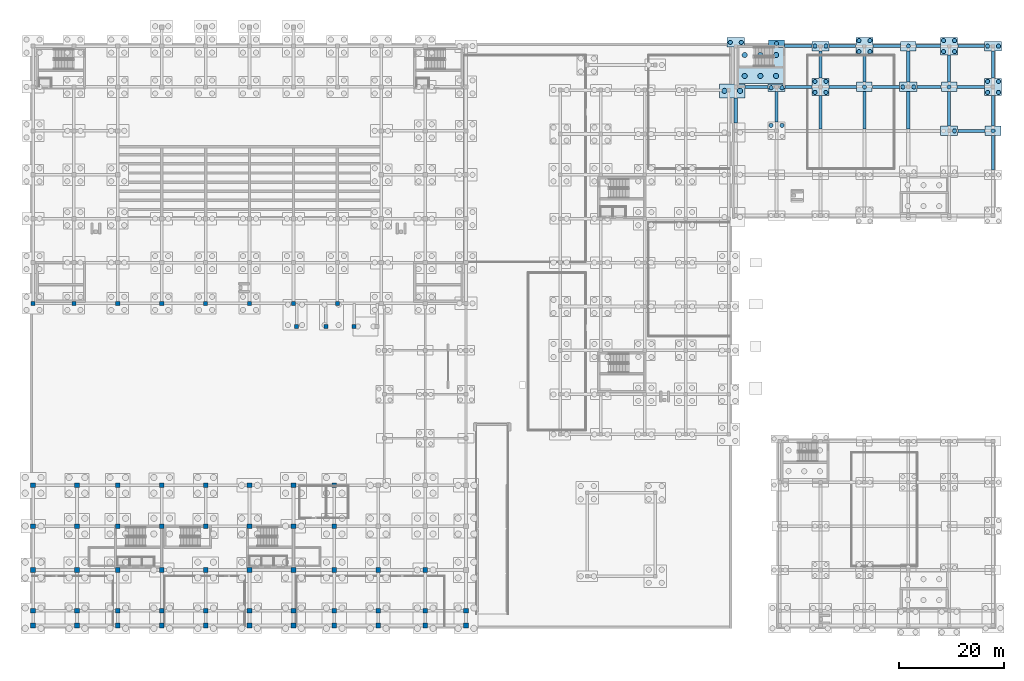
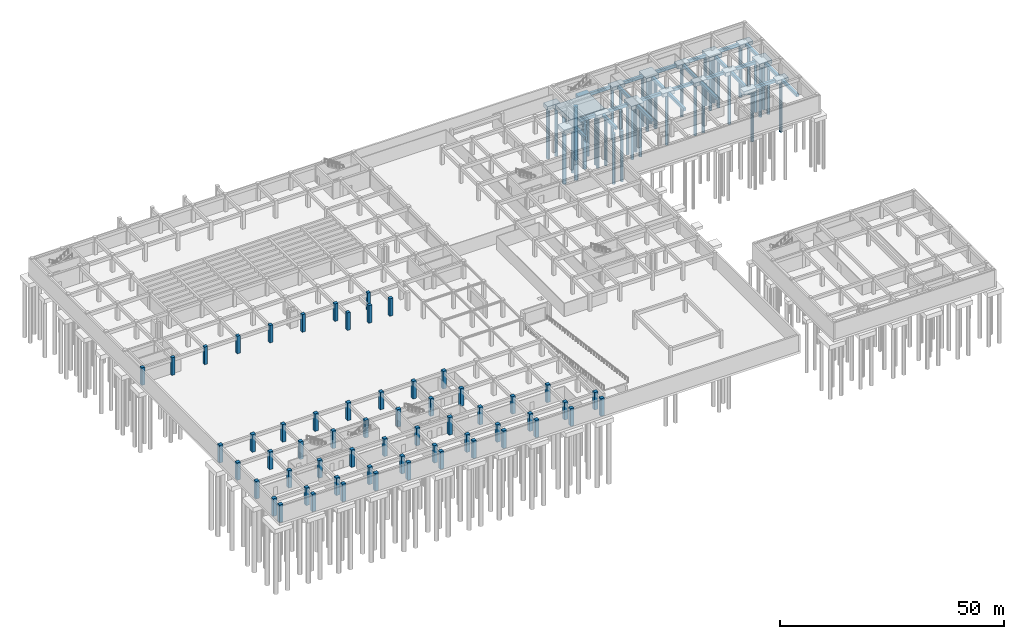
# One storey, part 7 of 35: 59 columns, 42 footings, 42 piles.
"""IFC4 building model written with IfcOpenShell, lengths in metres."""

from ifc_helpers import new_model, si_unit, direction, frame, origin, origin_2d, place, context, subcontext, project, spatial, rectangle, circle, extrude, material, material_profile, profile_set, type_object, element, save


model = new_model("IFC4")

# Units and contexts
model_context = context("Model", 3, precision=1e-05, world=origin(), true_north=direction((0.0, 1.0)))
body_context = subcontext(model_context, "Body", "Model", "MODEL_VIEW")
ifc_project = project(units=[si_unit("LENGTHUNIT", "METRE"), si_unit("AREAUNIT", "SQUARE_METRE"), si_unit("VOLUMEUNIT", "CUBIC_METRE"), si_unit("PLANEANGLEUNIT", "RADIAN"), si_unit("MASSUNIT", "GRAM", prefix="KILO")], contexts=[model_context])

# Site, building, storey
site_placement = place(None, origin())
site = spatial("IfcSite", under=ifc_project, at=site_placement, CompositionType="ELEMENT")
building_placement = place(site_placement, origin())
building = spatial("IfcBuilding", under=site, at=building_placement, Name="Zayran Congress Hotel", CompositionType="ELEMENT")
storey_placement = place(building_placement, frame((0.0, 0.0, -4.800048828125)))
storey = spatial("IfcBuildingStorey", under=building, at=storey_placement, Name="B1", CompositionType="ELEMENT", Elevation=-4.800048828125)

# Piles
ifc_material = material(Name="Concrete C40/50", Category="concrete")
ifc_material_profile_1 = material_profile(ifc_material, circle(Radius=0.5, at=origin_2d()), Name="PILE D1000")
ifc_profile_set_1 = profile_set([ifc_material_profile_1], Name="Concrete C40/50")
pile_type_1 = type_object("IfcPileType", Name="TP-PL-1000", PredefinedType="BORED", material=ifc_profile_set_1)
for number, where, z_axis, x_axis, name in (
    (1, (145.10009765625, 111.699951171875, -1.599853515625), (0.0, 0.0, -1.0), (1.0, 0.0, 0.0), "PIL-0001"),
    (2, (145.10009765625, 115.699951171875, -1.599853515625), (0.0, 0.0, -1.0), (1.0, 0.0, 0.0), "PIL-0002"),
    (3, (148.10009765625, 111.699951171875, -1.599853515625), (0.0, 0.0, -1.0), (1.0, 0.0, 0.0), "PIL-0003"),
    (4, (148.10009765625, 115.699951171875, -1.599853515625), (0.0, 0.0, -1.0), (1.0, 0.0, 0.0), "PIL-0004"),
    (5, (151.10009765625, 111.699951171875, -1.599853515625), (0.0, 0.0, -1.0), (1.0, 0.0, 0.0), "PIL-0005"),
    (6, (151.10009765625, 115.699951171875, -1.599853515625), (0.0, 0.0, -1.0), (1.0, 0.0, 0.0), "PIL-0006"),
):
    element("IfcPile", number, at=place(storey_placement, frame(where, z_axis=z_axis, x_axis=x_axis)), inside=storey, type_object=pile_type_1, Name=name, PredefinedType="BORED", context=body_context, shape_type="SweptSolid", body=[
        extrude(circle(Radius=0.5, at=origin_2d()), origin(), (0.0, 0.0, 1.0), 14.60009765625),
    ])
for number, where, z_axis, x_axis, name in (
    (7, (141.22509765625, 108.85009765625, -1.699951171875), (0.0, 0.0, -1.0), (1.0, 0.0, 0.0), "PIL-0588"),
    (8, (144.22509765625, 108.85009765625, -1.699951171875), (0.0, 0.0, -1.0), (1.0, 0.0, 0.0), "PIL-0589"),
):
    element("IfcPile", number, at=place(storey_placement, frame(where, z_axis=z_axis, x_axis=x_axis)), inside=storey, type_object=pile_type_1, Name=name, PredefinedType="BORED", context=body_context, shape_type="SweptSolid", body=[
        extrude(circle(Radius=0.5, at=origin_2d()), origin(), (0.0, 0.0, 1.0), 14.5),
    ])
ifc_material_profile_2 = material_profile(ifc_material, circle(Radius=0.39990234375, at=origin_2d()), Name="PILE D800")
ifc_profile_set_2 = profile_set([ifc_material_profile_2], Name="Concrete C40/50")
pile_type_2 = type_object("IfcPileType", Name="TP-PL-800", PredefinedType="BORED", material=ifc_profile_set_2)
for number, where, z_axis, x_axis, name in (
    (9, (142.35009765625, 118.125, -1.599853515625), (0.0, 0.0, -1.0), (1.0, 0.0, 0.0), "PIL-0590"),
    (10, (144.449951171875, 118.125, -1.599853515625), (0.0, 0.0, -1.0), (1.0, 0.0, 0.0), "PIL-0591"),
    (11, (150.14990234375, 102.25, -1.599853515625), (0.0, 0.0, -1.0), (1.0, 0.0, 0.0), "PIL-0597"),
    (12, (152.25, 102.25, -1.599853515625), (0.0, 0.0, -1.0), (1.0, 0.0, 0.0), "PIL-0598"),
):
    element("IfcPile", number, at=place(storey_placement, frame(where, z_axis=z_axis, x_axis=x_axis)), inside=storey, type_object=pile_type_2, Name=name, PredefinedType="BORED", context=body_context, shape_type="SweptSolid", body=[
        extrude(circle(Radius=0.39990234375, at=origin_2d()), origin(), (0.0, 0.0, 1.0), 13.800048828125),
    ])
for number, where, z_axis, x_axis, name in (
    (13, (150.14990234375, 109.449951171875, -1.5), (0.0, 0.0, -1.0), (1.0, 0.0, 0.0), "PIL-0599"),
    (14, (152.25, 109.449951171875, -1.5), (0.0, 0.0, -1.0), (1.0, 0.0, 0.0), "PIL-0600"),
    (15, (151.199951171875, 117.89990234375, -1.5), (0.0, 0.0, -1.0), (1.0, 0.0, 0.0), "PIL-0601"),
):
    element("IfcPile", number, at=place(storey_placement, frame(where, z_axis=z_axis, x_axis=x_axis)), inside=storey, type_object=pile_type_2, Name=name, PredefinedType="BORED", context=body_context, shape_type="SweptSolid", body=[
        extrude(circle(Radius=0.39990234375, at=origin_2d()), origin(), (0.0, 0.0, 1.0), 13.89990234375),
    ])
for number, where, z_axis, x_axis, name in (
    (16, (158.550048828125, 108.550048828125, -1.599853515625), (0.0, 0.0, -1.0), (1.0, 0.0, 0.0), "PIL-0629"),
    (17, (160.64990234375, 108.550048828125, -1.599853515625), (0.0, 0.0, -1.0), (1.0, 0.0, 0.0), "PIL-0630"),
    (18, (158.550048828125, 110.64990234375, -1.599853515625), (0.0, 0.0, -1.0), (1.0, 0.0, 0.0), "PIL-0631"),
    (19, (160.64990234375, 110.64990234375, -1.599853515625), (0.0, 0.0, -1.0), (1.0, 0.0, 0.0), "PIL-0632"),
):
    element("IfcPile", number, at=place(storey_placement, frame(where, z_axis=z_axis, x_axis=x_axis)), inside=storey, type_object=pile_type_2, Name=name, PredefinedType="BORED", context=body_context, shape_type="SweptSolid", body=[
        extrude(circle(Radius=0.39990234375, at=origin_2d()), origin(), (0.0, 0.0, 1.0), 13.800048828125),
    ])
for number, where, z_axis, x_axis, name in (
    (20, (158.550048828125, 117.39990234375, -1.5), (0.0, 0.0, -1.0), (1.0, 0.0, 0.0), "PIL-0633"),
    (21, (160.64990234375, 117.39990234375, -1.5), (0.0, 0.0, -1.0), (1.0, 0.0, 0.0), "PIL-0634"),
    (22, (168.0, 109.60009765625, -1.5), (0.0, 0.0, -1.0), (1.0, 0.0, 0.0), "PIL-0652"),
):
    element("IfcPile", number, at=place(storey_placement, frame(where, z_axis=z_axis, x_axis=x_axis)), inside=storey, type_object=pile_type_2, Name=name, PredefinedType="BORED", context=body_context, shape_type="SweptSolid", body=[
        extrude(circle(Radius=0.39990234375, at=origin_2d()), origin(), (0.0, 0.0, 1.0), 13.89990234375),
    ])
for number, where, z_axis, x_axis, name in (
    (23, (166.949951171875, 116.35009765625, -1.599853515625), (0.0, 0.0, -1.0), (1.0, 0.0, 0.0), "PIL-0653"),
    (24, (169.050048828125, 116.35009765625, -1.599853515625), (0.0, 0.0, -1.0), (1.0, 0.0, 0.0), "PIL-0654"),
    (25, (166.949951171875, 118.449951171875, -1.599853515625), (0.0, 0.0, -1.0), (1.0, 0.0, 0.0), "PIL-0655"),
    (26, (169.050048828125, 118.449951171875, -1.599853515625), (0.0, 0.0, -1.0), (1.0, 0.0, 0.0), "PIL-0656"),
):
    element("IfcPile", number, at=place(storey_placement, frame(where, z_axis=z_axis, x_axis=x_axis)), inside=storey, type_object=pile_type_2, Name=name, PredefinedType="BORED", context=body_context, shape_type="SweptSolid", body=[
        extrude(circle(Radius=0.39990234375, at=origin_2d()), origin(), (0.0, 0.0, 1.0), 13.800048828125),
    ])
for number, where, z_axis, x_axis, name in (
    (27, (175.35009765625, 109.60009765625, -1.5), (0.0, 0.0, -1.0), (1.0, 0.0, 0.0), "PIL-0671"),
    (28, (177.449951171875, 109.60009765625, -1.5), (0.0, 0.0, -1.0), (1.0, 0.0, 0.0), "PIL-0672"),
    (29, (176.39990234375, 117.39990234375, -1.5), (0.0, 0.0, -1.0), (1.0, 0.0, 0.0), "PIL-0673"),
    (30, (185.25, 101.199951171875, -1.5), (0.0, 0.0, -1.0), (1.0, 0.0, 0.0), "PIL-0691"),
    (31, (184.199951171875, 109.60009765625, -1.5), (0.0, 0.0, -1.0), (1.0, 0.0, 0.0), "PIL-0692"),
):
    element("IfcPile", number, at=place(storey_placement, frame(where, z_axis=z_axis, x_axis=x_axis)), inside=storey, type_object=pile_type_2, Name=name, PredefinedType="BORED", context=body_context, shape_type="SweptSolid", body=[
        extrude(circle(Radius=0.39990234375, at=origin_2d()), origin(), (0.0, 0.0, 1.0), 13.89990234375),
    ])
for number, where, z_axis, x_axis, name in (
    (32, (183.14990234375, 116.35009765625, -1.599853515625), (0.0, 0.0, -1.0), (1.0, 0.0, 0.0), "PIL-0693"),
    (33, (185.25, 116.35009765625, -1.599853515625), (0.0, 0.0, -1.0), (1.0, 0.0, 0.0), "PIL-0694"),
    (34, (183.14990234375, 118.449951171875, -1.599853515625), (0.0, 0.0, -1.0), (1.0, 0.0, 0.0), "PIL-0695"),
    (35, (185.25, 118.449951171875, -1.599853515625), (0.0, 0.0, -1.0), (1.0, 0.0, 0.0), "PIL-0696"),
):
    element("IfcPile", number, at=place(storey_placement, frame(where, z_axis=z_axis, x_axis=x_axis)), inside=storey, type_object=pile_type_2, Name=name, PredefinedType="BORED", context=body_context, shape_type="SweptSolid", body=[
        extrude(circle(Radius=0.39990234375, at=origin_2d()), origin(), (0.0, 0.0, 1.0), 13.800048828125),
    ])
pile_placement = place(storey_placement, frame((192.60009765625, 101.199951171875, -1.5), z_axis=(0.0, 0.0, -1.0), x_axis=(1.0, 0.0, 0.0)))
element("IfcPile", 36, at=pile_placement, inside=storey, type_object=pile_type_2, Name="PIL-0715", PredefinedType="BORED", context=body_context, shape_type="SweptSolid", body=[
    extrude(circle(Radius=0.39990234375, at=origin_2d()), origin(), (0.0, 0.0, 1.0), 13.89990234375),
])
for number, where, z_axis, x_axis, name in (
    (37, (191.550048828125, 108.550048828125, -1.599853515625), (0.0, 0.0, -1.0), (1.0, 0.0, 0.0), "PIL-0716"),
    (38, (193.64990234375, 108.550048828125, -1.599853515625), (0.0, 0.0, -1.0), (1.0, 0.0, 0.0), "PIL-0717"),
    (39, (191.550048828125, 110.64990234375, -1.599853515625), (0.0, 0.0, -1.0), (1.0, 0.0, 0.0), "PIL-0718"),
    (40, (193.64990234375, 110.64990234375, -1.599853515625), (0.0, 0.0, -1.0), (1.0, 0.0, 0.0), "PIL-0719"),
):
    element("IfcPile", number, at=place(storey_placement, frame(where, z_axis=z_axis, x_axis=x_axis)), inside=storey, type_object=pile_type_2, Name=name, PredefinedType="BORED", context=body_context, shape_type="SweptSolid", body=[
        extrude(circle(Radius=0.39990234375, at=origin_2d()), origin(), (0.0, 0.0, 1.0), 13.800048828125),
    ])
for number, where, z_axis, x_axis, name in (
    (41, (191.550048828125, 117.39990234375, -1.5), (0.0, 0.0, -1.0), (1.0, 0.0, 0.0), "PIL-0720"),
    (42, (193.64990234375, 117.39990234375, -1.5), (0.0, 0.0, -1.0), (1.0, 0.0, 0.0), "PIL-0721"),
):
    element("IfcPile", number, at=place(storey_placement, frame(where, z_axis=z_axis, x_axis=x_axis)), inside=storey, type_object=pile_type_2, Name=name, PredefinedType="BORED", context=body_context, shape_type="SweptSolid", body=[
        extrude(circle(Radius=0.39990234375, at=origin_2d()), origin(), (0.0, 0.0, 1.0), 13.89990234375),
    ])

# Footings
footing_type_1 = type_object("IfcFootingType", Name="TP-PC-08", PredefinedType="PILE_CAP", material=ifc_material)
for number, where, z_axis, x_axis, name in (
    (43, (159.60009765625, 109.60009765625, -1.699951171875), (0.0, 0.0, 1.0), (1.0, 0.0, 0.0), "FTG-CAP-195"),
    (44, (168.0, 117.39990234375, -1.699951171875), (0.0, 0.0, 1.0), (1.0, 0.0, 0.0), "FTG-CAP-204"),
    (45, (184.199951171875, 117.39990234375, -1.699951171875), (0.0, 0.0, 1.0), (1.0, 0.0, 0.0), "FTG-CAP-222"),
    (46, (192.60009765625, 109.60009765625, -1.699951171875), (0.0, 0.0, 1.0), (1.0, 0.0, 0.0), "FTG-CAP-231"),
):
    element("IfcFooting", number, at=place(storey_placement, frame(where, z_axis=z_axis, x_axis=x_axis)), inside=storey, type_object=footing_type_1, Name=name, PredefinedType="PILE_CAP", context=body_context, shape_type="SweptSolid", body=[
        extrude(rectangle(XDim=3.300048828125, YDim=3.300048828125, at=origin_2d()), origin(), (0.0, 0.0, 1.0), 1.10009765625),
    ])
footing_type_2 = type_object("IfcFootingType", Name="TP-PC-13", PredefinedType="PILE_CAP", material=ifc_material)
for number, where, z_axis, x_axis, name in (
    (47, (159.60009765625, 117.39990234375, -1.599853515625), (0.0, 0.0, 1.0), (1.0, 0.0, 0.0), "FTG-CAP-196"),
    (48, (176.39990234375, 109.60009765625, -1.599853515625), (0.0, 0.0, 1.0), (1.0, 0.0, 0.0), "FTG-CAP-211"),
    (49, (184.199951171875, 101.199951171875, -1.599853515625), (0.0, 0.0, 1.0), (1.0, 0.0, 0.0), "FTG-CAP-220"),
    (50, (192.60009765625, 117.39990234375, -1.599853515625), (0.0, 0.0, 1.0), (1.0, 0.0, 0.0), "FTG-CAP-232"),
):
    element("IfcFooting", number, at=place(storey_placement, frame(where, z_axis=z_axis, x_axis=x_axis)), inside=storey, type_object=footing_type_2, Name=name, PredefinedType="PILE_CAP", context=body_context, shape_type="SweptSolid", body=[
        extrude(rectangle(XDim=3.300048828125, YDim=1.800048828125, at=origin_2d()), origin(), (0.0, 0.0, 1.0), 1.0),
    ])
footing_type_3 = type_object("IfcFootingType", Name="TP-PC-14", PredefinedType="PILE_CAP", material=ifc_material)
for number, where, z_axis, x_axis, name in (
    (51, (168.0, 109.60009765625, -1.599853515625), (0.0, 0.0, 1.0), (1.0, 0.0, 0.0), "FTG-CAP-203"),
    (52, (176.39990234375, 117.39990234375, -1.599853515625), (0.0, 0.0, 1.0), (1.0, 0.0, 0.0), "FTG-CAP-212"),
    (53, (184.199951171875, 109.60009765625, -1.599853515625), (0.0, 0.0, 1.0), (1.0, 0.0, 0.0), "FTG-CAP-221"),
    (54, (192.60009765625, 101.199951171875, -1.599853515625), (0.0, 0.0, 1.0), (1.0, 0.0, 0.0), "FTG-CAP-230"),
):
    element("IfcFooting", number, at=place(storey_placement, frame(where, z_axis=z_axis, x_axis=x_axis)), inside=storey, type_object=footing_type_3, Name=name, PredefinedType="PILE_CAP", context=body_context, shape_type="SweptSolid", body=[
        extrude(rectangle(XDim=3.0, YDim=1.800048828125, at=origin_2d()), origin(), (0.0, 0.0, 1.0), 1.0),
    ])
footing_type_4 = type_object("IfcFootingType", Name="TP-GB-01", PredefinedType="FOOTING_BEAM", material=ifc_material)
footing_1_placement = place(storey_placement, frame((188.47509765625, 101.199951171875, -1.39990234375), z_axis=(0.0, 0.0, 1.0), x_axis=(1.0, 0.0, 0.0)))
element("IfcFooting", 55, at=footing_1_placement, inside=storey, type_object=footing_type_4, Name="FTG-GB-015", PredefinedType="FOOTING_BEAM", context=body_context, shape_type="SweptSolid", body=[
    extrude(rectangle(XDim=5.22998046875, YDim=0.60009765625, at=origin_2d()), origin(), (0.0, 0.0, 1.0), 0.800048828125),
])
footing_2_placement = place(storey_placement, frame((147.3369140625, 109.60009765625, -1.39990234375), z_axis=(0.0, 0.0, 1.0), x_axis=(1.0, 0.0, 0.0)))
element("IfcFooting", 56, at=footing_2_placement, inside=storey, type_object=footing_type_4, Name="FTG-GB-016", PredefinedType="FOOTING_BEAM", context=body_context, shape_type="SweptSolid", body=[
    extrude(rectangle(XDim=4.405029296875, YDim=0.60009765625, at=origin_2d()), origin(), (0.0, 0.0, 1.0), 0.800048828125),
])
footing_3_placement = place(storey_placement, frame((155.39990234375, 109.60009765625, -1.39990234375), z_axis=(0.0, 0.0, 1.0), x_axis=(1.0, 0.0, 0.0)))
element("IfcFooting", 57, at=footing_3_placement, inside=storey, type_object=footing_type_4, Name="FTG-GB-017", PredefinedType="FOOTING_BEAM", context=body_context, shape_type="SweptSolid", body=[
    extrude(rectangle(XDim=5.080078125, YDim=0.60009765625, at=origin_2d()), origin(), (0.0, 0.0, 1.0), 0.800048828125),
])
for number, where, z_axis, x_axis, name in (
    (58, (163.875, 109.60009765625, -1.39990234375), (0.0, 0.0, 1.0), (1.0, 0.0, 0.0), "FTG-GB-018"),
    (59, (172.125, 109.60009765625, -1.39990234375), (0.0, 0.0, 1.0), (1.0, 0.0, 0.0), "FTG-GB-019"),
):
    element("IfcFooting", number, at=place(storey_placement, frame(where, z_axis=z_axis, x_axis=x_axis)), inside=storey, type_object=footing_type_4, Name=name, PredefinedType="FOOTING_BEAM", context=body_context, shape_type="SweptSolid", body=[
        extrude(rectangle(XDim=5.22998046875, YDim=0.60009765625, at=origin_2d()), origin(), (0.0, 0.0, 1.0), 0.800048828125),
    ])
footing_4_placement = place(storey_placement, frame((180.375, 109.60009765625, -1.39990234375), z_axis=(0.0, 0.0, 1.0), x_axis=(1.0, 0.0, 0.0)))
element("IfcFooting", 60, at=footing_4_placement, inside=storey, type_object=footing_type_4, Name="FTG-GB-020", PredefinedType="FOOTING_BEAM", context=body_context, shape_type="SweptSolid", body=[
    extrude(rectangle(XDim=4.6298828125, YDim=0.60009765625, at=origin_2d()), origin(), (0.0, 0.0, 1.0), 0.800048828125),
])
for number, where, z_axis, x_axis, name in (
    (61, (188.324951171875, 109.60009765625, -1.39990234375), (0.0, 0.0, 1.0), (1.0, 0.0, 0.0), "FTG-GB-021"),
    (62, (155.324951171875, 117.39990234375, -1.39990234375), (0.0, 0.0, 1.0), (1.0, 0.0, 0.0), "FTG-GB-022"),
):
    element("IfcFooting", number, at=place(storey_placement, frame(where, z_axis=z_axis, x_axis=x_axis)), inside=storey, type_object=footing_type_4, Name=name, PredefinedType="FOOTING_BEAM", context=body_context, shape_type="SweptSolid", body=[
        extrude(rectangle(XDim=5.22998046875, YDim=0.60009765625, at=origin_2d()), origin(), (0.0, 0.0, 1.0), 0.800048828125),
    ])
footing_5_placement = place(storey_placement, frame((163.800048828125, 117.39990234375, -1.39990234375), z_axis=(0.0, 0.0, 1.0), x_axis=(1.0, 0.0, 0.0)))
element("IfcFooting", 63, at=footing_5_placement, inside=storey, type_object=footing_type_4, Name="FTG-GB-023", PredefinedType="FOOTING_BEAM", context=body_context, shape_type="SweptSolid", body=[
    extrude(rectangle(XDim=5.080078125, YDim=0.60009765625, at=origin_2d()), origin(), (0.0, 0.0, 1.0), 0.800048828125),
])
footing_6_placement = place(storey_placement, frame((172.27490234375, 117.39990234375, -1.39990234375), z_axis=(0.0, 0.0, 1.0), x_axis=(1.0, 0.0, 0.0)))
element("IfcFooting", 64, at=footing_6_placement, inside=storey, type_object=footing_type_4, Name="FTG-GB-024", PredefinedType="FOOTING_BEAM", context=body_context, shape_type="SweptSolid", body=[
    extrude(rectangle(XDim=5.22998046875, YDim=0.60009765625, at=origin_2d()), origin(), (0.0, 0.0, 1.0), 0.800048828125),
])
footing_7_placement = place(storey_placement, frame((180.22509765625, 117.39990234375, -1.39990234375), z_axis=(0.0, 0.0, 1.0), x_axis=(1.0, 0.0, 0.0)))
element("IfcFooting", 65, at=footing_7_placement, inside=storey, type_object=footing_type_4, Name="FTG-GB-025", PredefinedType="FOOTING_BEAM", context=body_context, shape_type="SweptSolid", body=[
    extrude(rectangle(XDim=4.6298828125, YDim=0.60009765625, at=origin_2d()), origin(), (0.0, 0.0, 1.0), 0.800048828125),
])
footing_8_placement = place(storey_placement, frame((188.39990234375, 117.39990234375, -1.39990234375), z_axis=(0.0, 0.0, 1.0), x_axis=(1.0, 0.0, 0.0)))
element("IfcFooting", 66, at=footing_8_placement, inside=storey, type_object=footing_type_4, Name="FTG-GB-026", PredefinedType="FOOTING_BEAM", context=body_context, shape_type="SweptSolid", body=[
    extrude(rectangle(XDim=5.080078125, YDim=0.60009765625, at=origin_2d()), origin(), (0.0, 0.0, 1.0), 0.800048828125),
])
footing_9_placement = place(storey_placement, frame((143.39990234375, 105.10009765625, -1.39990234375), z_axis=(0.0, 0.0, 1.0), x_axis=(0.0, 1.0, 0.0)))
element("IfcFooting", 67, at=footing_9_placement, inside=storey, type_object=footing_type_4, Name="FTG-GB-029", PredefinedType="FOOTING_BEAM", context=body_context, shape_type="SweptSolid", body=[
    extrude(rectangle(XDim=4.780029296875, YDim=0.60009765625, at=origin_2d()), origin(), (0.0, 0.0, 1.0), 0.800048828125),
])
footing_10_placement = place(storey_placement, frame((151.199951171875, 105.77490234375, -1.39990234375), z_axis=(0.0, 0.0, 1.0), x_axis=(0.0, 1.0, 0.0)))
element("IfcFooting", 68, at=footing_10_placement, inside=storey, type_object=footing_type_4, Name="FTG-GB-032", PredefinedType="FOOTING_BEAM", context=body_context, shape_type="SweptSolid", body=[
    extrude(rectangle(XDim=5.830078125, YDim=0.60009765625, at=origin_2d()), origin(), (0.0, 0.0, 1.0), 0.800048828125),
])
footing_11_placement = place(storey_placement, frame((159.60009765625, 104.72509765625, -1.39990234375), z_axis=(0.0, 0.0, 1.0), x_axis=(0.0, 1.0, 0.0)))
element("IfcFooting", 69, at=footing_11_placement, inside=storey, type_object=footing_type_4, Name="FTG-GB-035", PredefinedType="FOOTING_BEAM", context=body_context, shape_type="SweptSolid", body=[
    extrude(rectangle(XDim=6.429931640625, YDim=0.60009765625, at=origin_2d()), origin(), (0.0, 0.0, 1.0), 0.800048828125),
])
footing_12_placement = place(storey_placement, frame((159.60009765625, 113.875, -1.39990234375), z_axis=(0.0, 0.0, 1.0), x_axis=(0.0, 1.0, 0.0)))
element("IfcFooting", 70, at=footing_12_placement, inside=storey, type_object=footing_type_4, Name="FTG-GB-036", PredefinedType="FOOTING_BEAM", context=body_context, shape_type="SweptSolid", body=[
    extrude(rectangle(XDim=5.22998046875, YDim=0.60009765625, at=origin_2d()), origin(), (0.0, 0.0, 1.0), 0.800048828125),
])
footing_13_placement = place(storey_placement, frame((168.0, 105.10009765625, -1.39990234375), z_axis=(0.0, 0.0, 1.0), x_axis=(0.0, 1.0, 0.0)))
element("IfcFooting", 71, at=footing_13_placement, inside=storey, type_object=footing_type_4, Name="FTG-GB-039", PredefinedType="FOOTING_BEAM", context=body_context, shape_type="SweptSolid", body=[
    extrude(rectangle(XDim=7.179931640625, YDim=0.60009765625, at=origin_2d()), origin(), (0.0, 0.0, 1.0), 0.800048828125),
])
footing_14_placement = place(storey_placement, frame((168.0, 113.125, -1.39990234375), z_axis=(0.0, 0.0, 1.0), x_axis=(0.0, 1.0, 0.0)))
element("IfcFooting", 72, at=footing_14_placement, inside=storey, type_object=footing_type_4, Name="FTG-GB-040", PredefinedType="FOOTING_BEAM", context=body_context, shape_type="SweptSolid", body=[
    extrude(rectangle(XDim=5.22998046875, YDim=0.60009765625, at=origin_2d()), origin(), (0.0, 0.0, 1.0), 0.800048828125),
])
footing_15_placement = place(storey_placement, frame((176.39990234375, 105.10009765625, -1.39990234375), z_axis=(0.0, 0.0, 1.0), x_axis=(0.0, 1.0, 0.0)))
element("IfcFooting", 73, at=footing_15_placement, inside=storey, type_object=footing_type_4, Name="FTG-GB-042", PredefinedType="FOOTING_BEAM", context=body_context, shape_type="SweptSolid", body=[
    extrude(rectangle(XDim=7.179931640625, YDim=0.60009765625, at=origin_2d()), origin(), (0.0, 0.0, 1.0), 0.800048828125),
])
footing_16_placement = place(storey_placement, frame((176.39990234375, 113.5, -1.39990234375), z_axis=(0.0, 0.0, 1.0), x_axis=(0.0, 1.0, 0.0)))
element("IfcFooting", 74, at=footing_16_placement, inside=storey, type_object=footing_type_4, Name="FTG-GB-043", PredefinedType="FOOTING_BEAM", context=body_context, shape_type="SweptSolid", body=[
    extrude(rectangle(XDim=5.97998046875, YDim=0.60009765625, at=origin_2d()), origin(), (0.0, 0.0, 1.0), 0.800048828125),
])
footing_17_placement = place(storey_placement, frame((184.199951171875, 105.39990234375, -1.39990234375), z_axis=(0.0, 0.0, 1.0), x_axis=(0.0, 1.0, 0.0)))
element("IfcFooting", 75, at=footing_17_placement, inside=storey, type_object=footing_type_4, Name="FTG-GB-046", PredefinedType="FOOTING_BEAM", context=body_context, shape_type="SweptSolid", body=[
    extrude(rectangle(XDim=6.580078125, YDim=0.60009765625, at=origin_2d()), origin(), (0.0, 0.0, 1.0), 0.800048828125),
])
footing_18_placement = place(storey_placement, frame((184.199951171875, 113.125, -1.39990234375), z_axis=(0.0, 0.0, 1.0), x_axis=(0.0, 1.0, 0.0)))
element("IfcFooting", 76, at=footing_18_placement, inside=storey, type_object=footing_type_4, Name="FTG-GB-047", PredefinedType="FOOTING_BEAM", context=body_context, shape_type="SweptSolid", body=[
    extrude(rectangle(XDim=5.22998046875, YDim=0.60009765625, at=origin_2d()), origin(), (0.0, 0.0, 1.0), 0.800048828125),
])
footing_19_placement = place(storey_placement, frame((192.60009765625, 97.0, -1.39990234375), z_axis=(0.0, 0.0, 1.0), x_axis=(0.0, 1.0, 0.0)))
element("IfcFooting", 77, at=footing_19_placement, inside=storey, type_object=footing_type_4, Name="FTG-GB-049", PredefinedType="FOOTING_BEAM", context=body_context, shape_type="SweptSolid", body=[
    extrude(rectangle(XDim=6.580078125, YDim=0.60009765625, at=origin_2d()), origin(), (0.0, 0.0, 1.0), 0.800048828125),
])
footing_20_placement = place(storey_placement, frame((192.60009765625, 105.02490234375, -1.39990234375), z_axis=(0.0, 0.0, 1.0), x_axis=(0.0, 1.0, 0.0)))
element("IfcFooting", 78, at=footing_20_placement, inside=storey, type_object=footing_type_4, Name="FTG-GB-050", PredefinedType="FOOTING_BEAM", context=body_context, shape_type="SweptSolid", body=[
    extrude(rectangle(XDim=5.830078125, YDim=0.60009765625, at=origin_2d()), origin(), (0.0, 0.0, 1.0), 0.800048828125),
])
footing_21_placement = place(storey_placement, frame((192.60009765625, 113.875, -1.39990234375), z_axis=(0.0, 0.0, 1.0), x_axis=(0.0, 1.0, 0.0)))
element("IfcFooting", 79, at=footing_21_placement, inside=storey, type_object=footing_type_4, Name="FTG-GB-051", PredefinedType="FOOTING_BEAM", context=body_context, shape_type="SweptSolid", body=[
    extrude(rectangle(XDim=5.22998046875, YDim=0.60009765625, at=origin_2d()), origin(), (0.0, 0.0, 1.0), 0.800048828125),
])
footing_type_5 = type_object("IfcFootingType", Name="TP-PC-19", PredefinedType="PILE_CAP", material=ifc_material)
footing_22_placement = place(storey_placement, frame((148.10009765625, 113.699951171875, -1.699951171875), z_axis=(0.0, 0.0, 1.0), x_axis=(1.0, 0.0, 0.0)))
element("IfcFooting", 80, at=footing_22_placement, inside=storey, type_object=footing_type_5, Name="FTG-CAP-001", PredefinedType="PILE_CAP", context=body_context, shape_type="SweptSolid", body=[
    extrude(rectangle(XDim=8.800048828125, YDim=6.800048828125, at=origin_2d()), origin(), (0.0, 0.0, 1.0), 1.10009765625),
])
footing_type_6 = type_object("IfcFootingType", Name="TP-PC-17-4800-2700-1200", PredefinedType="PILE_CAP", material=ifc_material)
footing_23_placement = place(storey_placement, frame((142.72509765625, 108.85009765625, -1.7998046875), z_axis=(0.0, 0.0, 1.0), x_axis=(1.0, 0.0, 0.0)))
element("IfcFooting", 81, at=footing_23_placement, inside=storey, type_object=footing_type_6, Name="FTG-CAP-176", PredefinedType="PILE_CAP", context=body_context, shape_type="SweptSolid", body=[
    extrude(rectangle(XDim=4.800048828125, YDim=2.699951171875, at=origin_2d()), origin(), (0.0, 0.0, 1.0), 1.199951171875),
])
footing_type_7 = type_object("IfcFootingType", Name="TP-PC-08-3300-1850-1100", PredefinedType="PILE_CAP", material=ifc_material)
footing_24_placement = place(storey_placement, frame((143.39990234375, 118.125, -1.699951171875), z_axis=(0.0, 0.0, 1.0), x_axis=(1.0, 0.0, 0.0)))
element("IfcFooting", 82, at=footing_24_placement, inside=storey, type_object=footing_type_7, Name="FTG-CAP-177", PredefinedType="PILE_CAP", context=body_context, shape_type="SweptSolid", body=[
    extrude(rectangle(XDim=3.300048828125, YDim=1.85009765625, at=origin_2d()), origin(), (0.0, 0.0, 1.0), 1.10009765625),
])
footing_type_8 = type_object("IfcFootingType", Name="TP-PC-13-3300-1500-1000", PredefinedType="PILE_CAP", material=ifc_material)
footing_25_placement = place(storey_placement, frame((151.199951171875, 109.449951171875, -1.599853515625), z_axis=(0.0, 0.0, 1.0), x_axis=(1.0, 0.0, 0.0)))
element("IfcFooting", 83, at=footing_25_placement, inside=storey, type_object=footing_type_8, Name="FTG-CAP-181", PredefinedType="PILE_CAP", context=body_context, shape_type="SweptSolid", body=[
    extrude(rectangle(XDim=3.300048828125, YDim=1.5, at=origin_2d()), origin(), (0.0, 0.0, 1.0), 1.0),
])
footing_type_9 = type_object("IfcFootingType", Name="TP-PC-14-3000-1400-1000", PredefinedType="PILE_CAP", material=ifc_material)
footing_26_placement = place(storey_placement, frame((151.199951171875, 117.89990234375, -1.599853515625), z_axis=(0.0, 0.0, 1.0), x_axis=(1.0, 0.0, 0.0)))
element("IfcFooting", 84, at=footing_26_placement, inside=storey, type_object=footing_type_9, Name="FTG-CAP-182", PredefinedType="PILE_CAP", context=body_context, shape_type="SweptSolid", body=[
    extrude(rectangle(XDim=3.0, YDim=1.39990234375, at=origin_2d()), origin(), (0.0, 0.0, 1.0), 1.0),
])

# Columns
ifc_material_profile_3 = material_profile(ifc_material, rectangle(XDim=0.89990234375, YDim=0.89990234375, at=origin_2d()), Name="RC 900x900")
ifc_profile_set_3 = profile_set([ifc_material_profile_3], Name="Concrete C40/50")
column_type_1 = type_object("IfcColumnType", Name="TP-CL-01", PredefinedType="COLUMN", material=ifc_profile_set_3)
for number, where, z_axis, x_axis, name in (
    (85, (9.0, 6.60009765625, 0.0), (0.0, 0.0, 1.0), (1.0, 0.0, 0.0), "COL-B1-0001"),
    (86, (9.0, 9.39990234375, 0.0), (0.0, 0.0, 1.0), (1.0, 0.0, 0.0), "COL-B1-0002"),
    (87, (9.0, 17.199951171875, 0.0), (0.0, 0.0, 1.0), (1.0, 0.0, 0.0), "COL-B1-0003"),
    (88, (9.0, 25.60009765625, 0.0), (0.0, 0.0, 1.0), (1.0, 0.0, 0.0), "COL-B1-0004"),
    (89, (9.0, 33.39990234375, 0.0), (0.0, 0.0, 1.0), (1.0, 0.0, 0.0), "COL-B1-0005"),
    (90, (17.39990234375, 6.60009765625, 0.0), (0.0, 0.0, 1.0), (1.0, 0.0, 0.0), "COL-B1-0020"),
    (91, (17.39990234375, 9.39990234375, 0.0), (0.0, 0.0, 1.0), (1.0, 0.0, 0.0), "COL-B1-0021"),
    (92, (17.39990234375, 17.199951171875, 0.0), (0.0, 0.0, 1.0), (1.0, 0.0, 0.0), "COL-B1-0022"),
    (93, (17.39990234375, 25.60009765625, 0.0), (0.0, 0.0, 1.0), (1.0, 0.0, 0.0), "COL-B1-0023"),
    (94, (17.39990234375, 33.39990234375, 0.0), (0.0, 0.0, 1.0), (1.0, 0.0, 0.0), "COL-B1-0024"),
    (95, (25.199951171875, 6.60009765625, 0.0), (0.0, 0.0, 1.0), (1.0, 0.0, 0.0), "COL-B1-0025"),
    (96, (25.199951171875, 9.39990234375, 0.0), (0.0, 0.0, 1.0), (1.0, 0.0, 0.0), "COL-B1-0026"),
    (97, (25.199951171875, 17.199951171875, 0.0), (0.0, 0.0, 1.0), (1.0, 0.0, 0.0), "COL-B1-0027"),
    (98, (25.199951171875, 25.60009765625, 0.0), (0.0, 0.0, 1.0), (1.0, 0.0, 0.0), "COL-B1-0028"),
    (99, (25.199951171875, 33.39990234375, 0.0), (0.0, 0.0, 1.0), (1.0, 0.0, 0.0), "COL-B1-0029"),
    (100, (33.60009765625, 6.60009765625, 0.0), (0.0, 0.0, 1.0), (1.0, 0.0, 0.0), "COL-B1-0037"),
    (101, (33.60009765625, 9.39990234375, 0.0), (0.0, 0.0, 1.0), (1.0, 0.0, 0.0), "COL-B1-0038"),
    (102, (33.60009765625, 17.199951171875, 0.0), (0.0, 0.0, 1.0), (1.0, 0.0, 0.0), "COL-B1-0039"),
    (103, (33.60009765625, 25.60009765625, 0.0), (0.0, 0.0, 1.0), (1.0, 0.0, 0.0), "COL-B1-0040"),
    (104, (33.60009765625, 33.39990234375, 0.0), (0.0, 0.0, 1.0), (1.0, 0.0, 0.0), "COL-B1-0041"),
    (105, (42.0, 6.60009765625, 0.0), (0.0, 0.0, 1.0), (1.0, 0.0, 0.0), "COL-B1-0047"),
    (106, (42.0, 9.39990234375, 0.0), (0.0, 0.0, 1.0), (1.0, 0.0, 0.0), "COL-B1-0048"),
    (107, (42.0, 17.199951171875, 0.0), (0.0, 0.0, 1.0), (1.0, 0.0, 0.0), "COL-B1-0049"),
    (108, (42.0, 25.60009765625, 0.0), (0.0, 0.0, 1.0), (1.0, 0.0, 0.0), "COL-B1-0050"),
    (109, (42.0, 33.39990234375, 0.0), (0.0, 0.0, 1.0), (1.0, 0.0, 0.0), "COL-B1-0051"),
    (110, (50.39990234375, 6.60009765625, 0.0), (0.0, 0.0, 1.0), (1.0, 0.0, 0.0), "COL-B1-0057"),
    (111, (50.39990234375, 9.39990234375, 0.0), (0.0, 0.0, 1.0), (1.0, 0.0, 0.0), "COL-B1-0058"),
    (112, (50.39990234375, 17.199951171875, 0.0), (0.0, 0.0, 1.0), (1.0, 0.0, 0.0), "COL-B1-0059"),
    (113, (50.39990234375, 25.60009765625, 0.0), (0.0, 0.0, 1.0), (1.0, 0.0, 0.0), "COL-B1-0060"),
    (114, (50.39990234375, 33.39990234375, 0.0), (0.0, 0.0, 1.0), (1.0, 0.0, 0.0), "COL-B1-0061"),
    (115, (58.800048828125, 6.60009765625, 0.0), (0.0, 0.0, 1.0), (1.0, 0.0, 0.0), "COL-B1-0067"),
    (116, (58.800048828125, 9.39990234375, 0.0), (0.0, 0.0, 1.0), (1.0, 0.0, 0.0), "COL-B1-0068"),
    (117, (58.800048828125, 17.199951171875, 0.0), (0.0, 0.0, 1.0), (1.0, 0.0, 0.0), "COL-B1-0069"),
    (118, (58.800048828125, 25.60009765625, 0.0), (0.0, 0.0, 1.0), (1.0, 0.0, 0.0), "COL-B1-0070"),
    (119, (58.800048828125, 33.39990234375, 0.0), (0.0, 0.0, 1.0), (1.0, 0.0, 0.0), "COL-B1-0071"),
    (120, (66.60009765625, 6.60009765625, 0.0), (0.0, 0.0, 1.0), (1.0, 0.0, 0.0), "COL-B1-0079"),
    (121, (66.60009765625, 9.39990234375, 0.0), (0.0, 0.0, 1.0), (1.0, 0.0, 0.0), "COL-B1-0080"),
    (122, (66.60009765625, 17.199951171875, 0.0), (0.0, 0.0, 1.0), (1.0, 0.0, 0.0), "COL-B1-0081"),
    (123, (66.60009765625, 25.60009765625, 0.0), (0.0, 0.0, 1.0), (1.0, 0.0, 0.0), "COL-B1-0082"),
    (124, (66.60009765625, 33.39990234375, 0.0), (0.0, 0.0, 1.0), (1.0, 0.0, 0.0), "COL-B1-0083"),
    (125, (75.0, 6.60009765625, 0.0), (0.0, 0.0, 1.0), (1.0, 0.0, 0.0), "COL-B1-0091"),
    (126, (75.0, 9.39990234375, 0.0), (0.0, 0.0, 1.0), (1.0, 0.0, 0.0), "COL-B1-0092"),
    (127, (75.0, 17.199951171875, 0.0), (0.0, 0.0, 1.0), (1.0, 0.0, 0.0), "COL-B1-0093"),
    (128, (84.0, 6.60009765625, 0.0), (0.0, 0.0, 1.0), (1.0, 0.0, 0.0), "COL-B1-0106"),
    (129, (84.0, 9.39990234375, 0.0), (0.0, 0.0, 1.0), (1.0, 0.0, 0.0), "COL-B1-0107"),
    (130, (84.0, 17.199951171875, 0.0), (0.0, 0.0, 1.0), (1.0, 0.0, 0.0), "COL-B1-0108"),
    (131, (91.800048828125, 6.60009765625, 0.0), (0.0, 0.0, 1.0), (1.0, 0.0, 0.0), "COL-B1-0121"),
    (132, (91.800048828125, 9.39990234375, 0.0), (0.0, 0.0, 1.0), (1.0, 0.0, 0.0), "COL-B1-0122"),
):
    element("IfcColumn", number, at=place(storey_placement, frame(where, z_axis=z_axis, x_axis=x_axis)), inside=storey, type_object=column_type_1, Name=name, PredefinedType="COLUMN", context=body_context, shape_type="SweptSolid", body=[
        extrude(rectangle(XDim=0.89990234375, YDim=0.89990234375, at=origin_2d()), origin(), (0.0, 0.0, 1.0), 4.800048828125),
    ])
ifc_material_profile_4 = material_profile(ifc_material, rectangle(XDim=0.800048828125, YDim=0.800048828125, at=origin_2d()), Name="RC 800x800")
ifc_profile_set_4 = profile_set([ifc_material_profile_4], Name="Concrete C40/50")
column_type_2 = type_object("IfcColumnType", Name="TP-CL-02", PredefinedType="COLUMN", material=ifc_profile_set_4)
for number, where, z_axis, x_axis, name in (
    (133, (9.0, 68.199951171875, 0.0), (0.0, 0.0, 1.0), (1.0, 0.0, 0.0), "COL-B1-0006"),
    (134, (16.800048828125, 68.199951171875, 0.0), (0.0, 0.0, 1.0), (1.0, 0.0, 0.0), "COL-B1-0013"),
    (135, (25.199951171875, 68.199951171875, 0.0), (0.0, 0.0, 1.0), (1.0, 0.0, 0.0), "COL-B1-0030"),
    (136, (33.60009765625, 68.199951171875, 0.0), (0.0, 0.0, 1.0), (1.0, 0.0, 0.0), "COL-B1-0042"),
    (137, (42.0, 68.199951171875, 0.0), (0.0, 0.0, 1.0), (1.0, 0.0, 0.0), "COL-B1-0052"),
    (138, (50.39990234375, 68.199951171875, 0.0), (0.0, 0.0, 1.0), (1.0, 0.0, 0.0), "COL-B1-0062"),
    (139, (58.800048828125, 68.199951171875, 0.0), (0.0, 0.0, 1.0), (1.0, 0.0, 0.0), "COL-B1-0072"),
    (140, (59.39990234375, 63.800048828125, 0.0), (0.0, 0.0, 1.0), (1.0, 0.0, 0.0), "COL-B1-0077"),
    (141, (65.0, 63.800048828125, 0.0), (0.0, 0.0, 1.0), (1.0, 0.0, 0.0), "COL-B1-0078"),
    (142, (67.199951171875, 68.199951171875, 0.0), (0.0, 0.0, 1.0), (1.0, 0.0, 0.0), "COL-B1-0084"),
    (143, (70.39990234375, 63.800048828125, 0.0), (0.0, 0.0, 1.0), (1.0, 0.0, 0.0), "COL-B1-0089"),
):
    element("IfcColumn", number, at=place(storey_placement, frame(where, z_axis=z_axis, x_axis=x_axis)), inside=storey, type_object=column_type_2, Name=name, PredefinedType="COLUMN", context=body_context, shape_type="SweptSolid", body=[
        extrude(rectangle(XDim=0.800048828125, YDim=0.800048828125, at=origin_2d()), origin(), (0.0, 0.0, 1.0), 4.800048828125),
    ])

save(model, "model.ifc")
